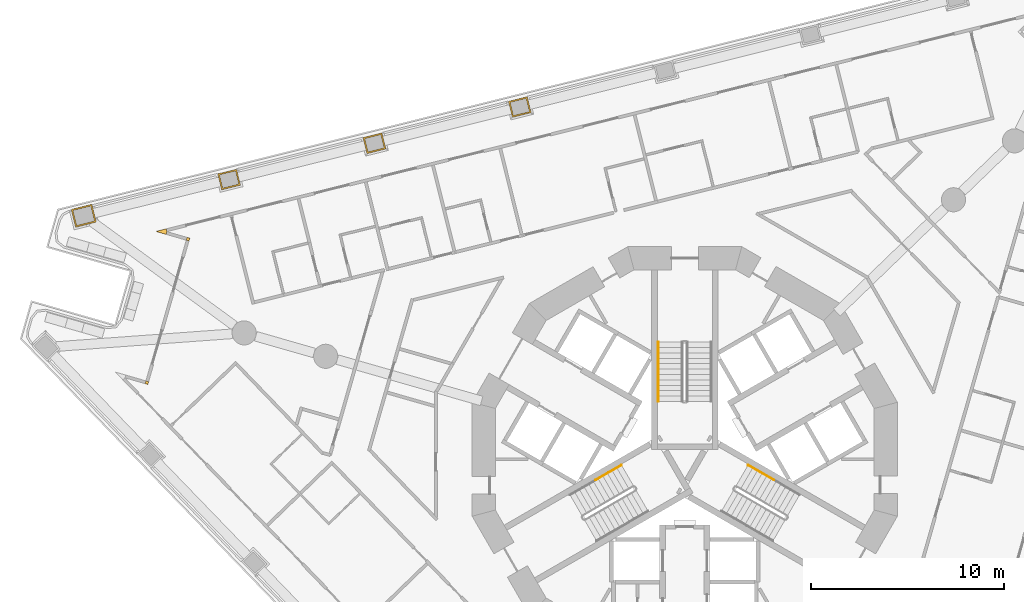
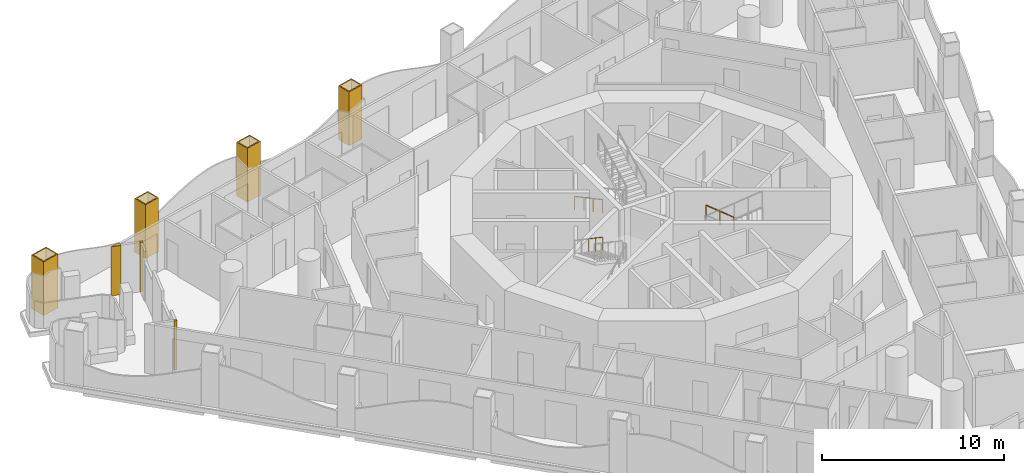
# One storey, part 15 of 18: 7 coverings, 3 railings.
"""IFC4 building model written with IfcOpenShell, lengths in metres."""

from ifc_helpers import new_model, si_unit, direction, frame, origin, origin_2d, place, context, subcontext, project, spatial, polyline, circle, outline, extrude, material, layer, layer_set, type_object, element, save


model = new_model("IFC4")

# Units and contexts
model_context = context("Model", 3, precision=1e-05, world=origin(), true_north=direction((0.0, 1.0)))
body_context = subcontext(model_context, "Body", "Model", "MODEL_VIEW")
ifc_project = project(units=[si_unit("LENGTHUNIT", "METRE"), si_unit("AREAUNIT", "SQUARE_METRE"), si_unit("VOLUMEUNIT", "CUBIC_METRE"), si_unit("PLANEANGLEUNIT", "RADIAN"), si_unit("MASSUNIT", "GRAM", prefix="KILO")], contexts=[model_context])

# Site, building, storey
site_placement = place(None, origin())
site = spatial("IfcSite", under=ifc_project, at=site_placement, CompositionType="ELEMENT")
building_placement = place(site_placement, origin())
building = spatial("IfcBuilding", under=site, at=building_placement, Name="Trine Commons Tower", CompositionType="ELEMENT")
storey_placement = place(building_placement, frame((0.0, 0.0, 94.5)))
storey = spatial("IfcBuildingStorey", under=building, at=storey_placement, Name="L23", CompositionType="ELEMENT", Elevation=94.5)

# Coverings
ifc_material_1 = material(Name="Aluminium-framed insulated wall panel", Category="aluminium")
ifc_layer_1 = layer(ifc_material_1, 0.14990234375)
ifc_layer_set_1 = layer_set([ifc_layer_1], Name="Aluminium-framed insulated wall panel")
covering_type_1 = type_object("IfcCoveringType", Name="Glazing corner post, aluminium", PredefinedType="CLADDING", material=ifc_layer_set_1)
covering_1_placement = place(storey_placement, origin())
element("IfcCovering", 1, at=covering_1_placement, inside=storey, type_object=covering_type_1, Name="Glazing corner post 3-02", PredefinedType="CLADDING", context=body_context, shape_type="SweptSolid", body=[
    extrude(outline(polyline([(52.048828125, 66.416015625), (52.193115234375, 66.374755859375), (52.234375, 66.518798828125), (52.090087890625, 66.560302734375), (52.048828125, 66.416015625)])), origin(), (0.0, 0.0, 1.0), 3.300048828125),
])
covering_2_placement = place(storey_placement, origin())
element("IfcCovering", 2, at=covering_2_placement, inside=storey, type_object=covering_type_1, Name="Glazing corner post 3-03", PredefinedType="CLADDING", context=body_context, shape_type="SweptSolid", body=[
    extrude(outline(polyline([(54.32373046875, 73.805419921875), (54.364990234375, 73.949462890625), (54.220703125, 73.99072265625), (54.179443359375, 73.8466796875), (54.32373046875, 73.805419921875)])), origin(), (0.0, 0.0, 1.0), 3.300048828125),
])
covering_3_placement = place(storey_placement, origin())
element("IfcCovering", 3, at=covering_3_placement, inside=storey, type_object=covering_type_1, Name="Glazing corner post 3-04", PredefinedType="CLADDING", context=body_context, shape_type="SweptSolid", body=[
    extrude(outline(polyline([(53.1357421875, 74.14599609375), (53.17724609375, 74.2900390625), (53.140869140625, 74.435546875), (52.59765625, 74.30029296875), (53.1357421875, 74.14599609375)])), origin(), (0.0, 0.0, 1.0), 3.300048828125),
])
ifc_material_2 = material(Name="Limestone, honed", Category="masonry")
ifc_layer_2 = layer(ifc_material_2, 0.074951171875)
ifc_layer_set_2 = layer_set([ifc_layer_2], Name="Limestone, honed")
covering_type_2 = type_object("IfcCoveringType", Name="Limestone column cladding 75", PredefinedType="CLADDING", material=ifc_layer_set_2)
covering_4_placement = place(storey_placement, origin())
element("IfcCovering", 4, at=covering_4_placement, inside=storey, type_object=covering_type_2, Name="Limestone pier cladding 3-09", PredefinedType="CLADDING", context=body_context, shape_type="SweptSolid", body=[
    extrude(outline(polyline([(49.520751953125, 74.785400390625), (49.291015625, 75.70703125), (48.2236328125, 75.44091796875), (48.45361328125, 74.519287109375), (49.520751953125, 74.785400390625)]), holes=[polyline([(49.429931640625, 74.83984375), (49.236328125, 75.6162109375), (48.314453125, 75.38623046875), (48.508056640625, 74.610107421875), (49.429931640625, 74.83984375)])]), origin(), (0.0, 0.0, 1.0), 3.60009765625),
])
covering_5_placement = place(storey_placement, origin())
element("IfcCovering", 5, at=covering_5_placement, inside=storey, type_object=covering_type_2, Name="Limestone pier cladding 3-10", PredefinedType="CLADDING", context=body_context, shape_type="SweptSolid", body=[
    extrude(outline(polyline([(56.9873046875, 76.698486328125), (56.78173828125, 77.523193359375), (55.811279296875, 77.28125), (56.01708984375, 76.45654296875), (56.9873046875, 76.698486328125)]), holes=[polyline([(56.896484375, 76.7529296875), (56.72705078125, 77.43212890625), (55.90234375, 77.2265625), (56.07177734375, 76.54736328125), (56.896484375, 76.7529296875)])]), origin(), (0.0, 0.0, 1.0), 3.60009765625),
])
covering_6_placement = place(storey_placement, origin())
element("IfcCovering", 6, at=covering_6_placement, inside=storey, type_object=covering_type_2, Name="Limestone pier cladding 3-11", PredefinedType="CLADDING", context=body_context, shape_type="SweptSolid", body=[
    extrude(outline(polyline([(64.5146484375, 78.5751953125), (64.308837890625, 79.39990234375), (63.338623046875, 79.157958984375), (63.544189453125, 78.333251953125), (64.5146484375, 78.5751953125)]), holes=[polyline([(64.423583984375, 78.6298828125), (64.25439453125, 79.30908203125), (63.4296875, 79.103515625), (63.598876953125, 78.42431640625), (64.423583984375, 78.6298828125)])]), origin(), (0.0, 0.0, 1.0), 3.60009765625),
])
covering_7_placement = place(storey_placement, origin())
element("IfcCovering", 7, at=covering_7_placement, inside=storey, type_object=covering_type_2, Name="Limestone pier cladding 3-12", PredefinedType="CLADDING", context=body_context, shape_type="SweptSolid", body=[
    extrude(outline(polyline([(72.0419921875, 80.451904296875), (71.836181640625, 81.276611328125), (70.865966796875, 81.03466796875), (71.071533203125, 80.2099609375), (72.0419921875, 80.451904296875)]), holes=[polyline([(71.950927734375, 80.506591796875), (71.781494140625, 81.185791015625), (70.956787109375, 80.97998046875), (71.126220703125, 80.30078125), (71.950927734375, 80.506591796875)])]), origin(), (0.0, 0.0, 1.0), 3.60009765625),
])

# Railings
ifc_material_3 = material(Name="Stainless steel handrail", Category="steel")
railing_type = type_object("IfcRailingType", Name="Stair handrail, steel 900", PredefinedType="HANDRAIL", material=ifc_material_3)
railing_1_placement = place(storey_placement, frame((78.625, 68.570556640625, 0.14990234375)))
element("IfcRailing", 8, at=railing_1_placement, inside=storey, type_object=railing_type, Name="L23 ST1A stair handrail 1", PredefinedType="HANDRAIL", context=body_context, shape_type="SweptSolid", body=[
    extrude(circle(Radius=0.02099609375, at=origin_2d()), frame((0.0, 0.0, 0.87890625), z_axis=(0.0, -0.881467505477, 0.472244678941), x_axis=(1.0, 0.0, 0.0)), (0.0, 0.0, 1.0), 3.494140625),
    extrude(circle(Radius=0.01513671875, at=origin_2d()), origin(), (0.0, 0.0, 1.0), 0.85791015625),
    extrude(circle(Radius=0.01513671875, at=origin_2d()), frame((0.0, -1.026611328125, 0.550048828125)), (0.0, 0.0, 1.0), 0.85791015625),
    extrude(circle(Radius=0.01513671875, at=origin_2d()), frame((0.0, -2.053466796875, 1.10009765625)), (0.0, 0.0, 1.0), 0.85791015625),
    extrude(circle(Radius=0.01513671875, at=origin_2d()), frame((0.0, -3.080078125, 1.650146484375)), (0.0, 0.0, 1.0), 0.85791015625),
])
railing_2_placement = place(storey_placement, frame((76.72265625, 62.195556640625, 1.949951171875)))
element("IfcRailing", 9, at=railing_2_placement, inside=storey, type_object=railing_type, Name="L23 ST2A stair handrail 3", PredefinedType="HANDRAIL", context=body_context, shape_type="SweptSolid", body=[
    extrude(circle(Radius=0.02099609375, at=origin_2d()), frame((0.0, 0.0, 0.87890625), z_axis=(-0.76340495495, -0.440743040072, 0.472184759798), x_axis=(0.499992328818, -0.866029832698, 0.0)), (0.0, 0.0, 1.0), 1.7470703125),
    extrude(circle(Radius=0.01513671875, at=origin_2d()), origin(), (0.0, 0.0, 1.0), 0.85791015625),
    extrude(circle(Radius=0.01513671875, at=origin_2d()), frame((-0.6669921875, -0.385009765625, 0.41259765625)), (0.0, 0.0, 1.0), 0.85791015625),
    extrude(circle(Radius=0.01513671875, at=origin_2d()), frame((-1.333740234375, -0.77001953125, 0.824951171875)), (0.0, 0.0, 1.0), 0.85791015625),
])
railing_3_placement = place(storey_placement, frame((84.611083984375, 61.425537109375, 0.97509765625)))
element("IfcRailing", 10, at=railing_3_placement, inside=storey, type_object=railing_type, Name="L23 ST3A stair handrail 2", PredefinedType="HANDRAIL", context=body_context, shape_type="SweptSolid", body=[
    extrude(circle(Radius=0.02099609375, at=origin_2d()), frame((0.0, 0.0, 0.87890625), z_axis=(-0.76340495495, 0.440743040072, 0.472184759798), x_axis=(-0.499992328818, -0.866029832698, 0.0)), (0.0, 0.0, 1.0), 1.7470703125),
    extrude(circle(Radius=0.01513671875, at=origin_2d()), origin(), (0.0, 0.0, 1.0), 0.85791015625),
    extrude(circle(Radius=0.01513671875, at=origin_2d()), frame((-0.6669921875, 0.385009765625, 0.41259765625)), (0.0, 0.0, 1.0), 0.85791015625),
    extrude(circle(Radius=0.01513671875, at=origin_2d()), frame((-1.333740234375, 0.77001953125, 0.824951171875)), (0.0, 0.0, 1.0), 0.85791015625),
])

save(model, "model.ifc")
